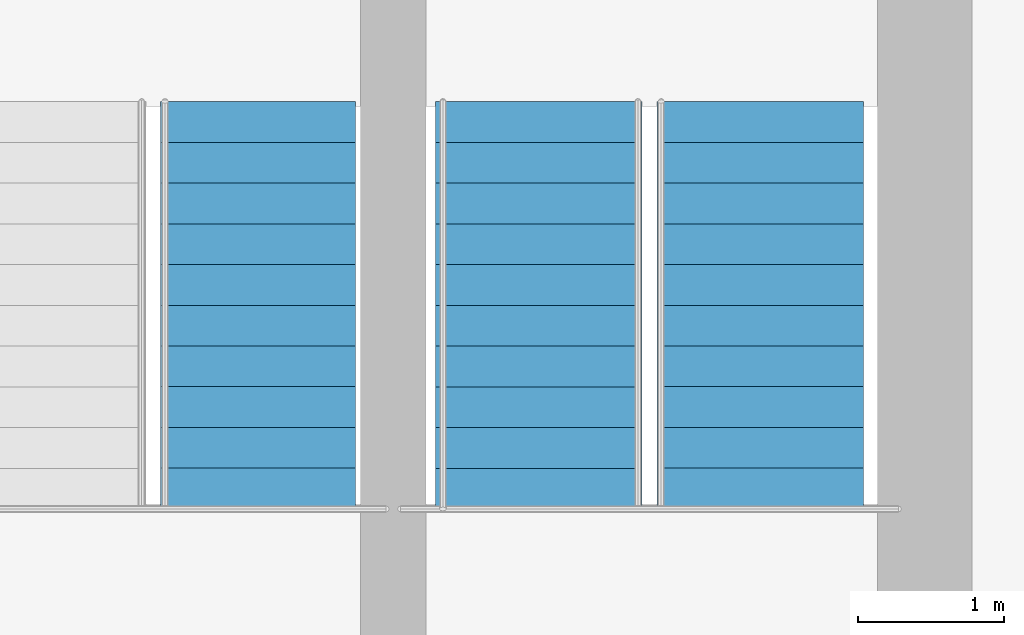
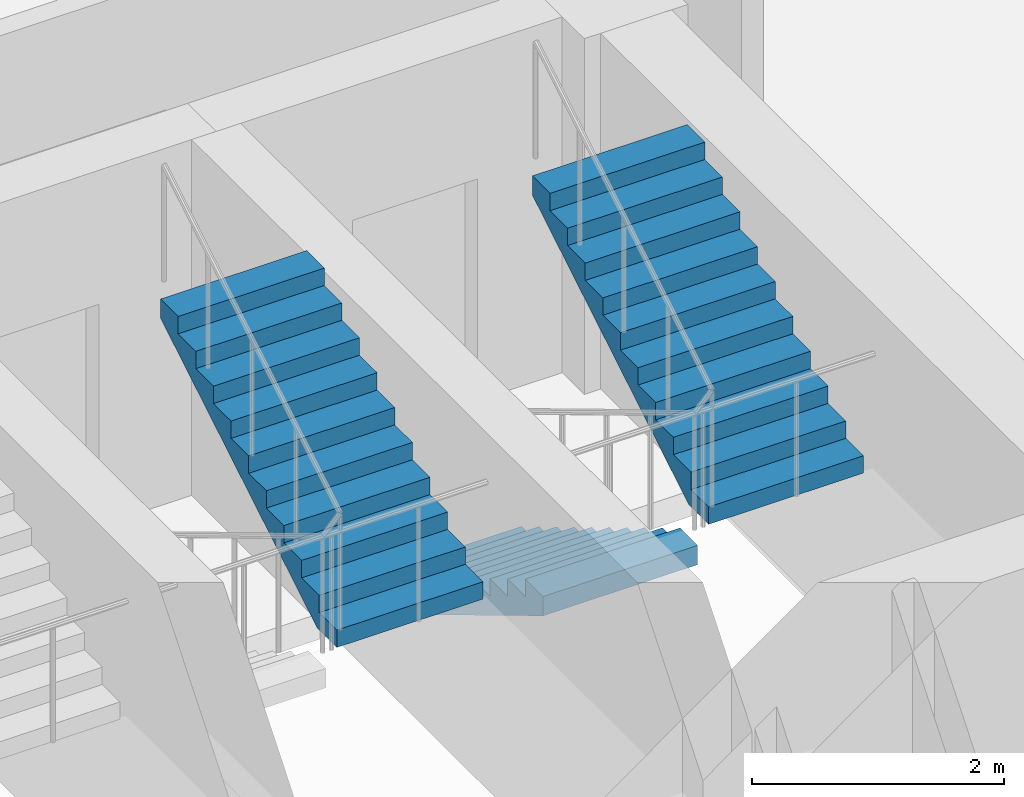
# One storey, part 25 of 26: 3 stair flights, 2 elements without a shape of their own.
"""IFC4 building model written with IfcOpenShell, lengths in metres."""

from ifc_helpers import new_model, si_unit, direction, frame, origin, place, context, subcontext, project, spatial, polyline, outline, extrude, material, type_object, element, aggregate, save


model = new_model("IFC4")

# Units and contexts
model_context = context("Model", 3, precision=1e-05, world=origin(), true_north=direction((0.0, 1.0)))
body_context = subcontext(model_context, "Body", "Model", "MODEL_VIEW")
ifc_project = project(units=[si_unit("LENGTHUNIT", "METRE"), si_unit("AREAUNIT", "SQUARE_METRE"), si_unit("VOLUMEUNIT", "CUBIC_METRE"), si_unit("PLANEANGLEUNIT", "RADIAN"), si_unit("MASSUNIT", "GRAM", prefix="KILO")], contexts=[model_context])

# Site, building, storey
site_placement = place(None, origin())
site = spatial("IfcSite", under=ifc_project, at=site_placement, CompositionType="ELEMENT")
building_placement = place(site_placement, origin())
building = spatial("IfcBuilding", under=site, at=building_placement, Name="Nuhasar Tower", CompositionType="ELEMENT")
storey_placement = place(building_placement, frame((0.0, 0.0, 173.75)))
storey = spatial("IfcBuildingStorey", under=building, at=storey_placement, Name="L42", CompositionType="ELEMENT", Elevation=173.75)

# Stair, stair flights
ifc_material = material(Name="Concrete C45/55", Category="concrete")
stair_type_1 = type_object("IfcStairType", Name="STR-ST-02-2F-22R-1682", PredefinedType="HALF_TURN_STAIR", material=ifc_material)
stair_1_placement = place(storey_placement, origin())
stair_1 = element("IfcStair", 1, at=stair_1_placement, inside=storey, type_object=stair_type_1, Name="L42 Exit Stair ST-02", PredefinedType="HALF_TURN_STAIR")
stair_flight_type_1 = type_object("IfcStairFlightType", Name="SFL-ST-02-11R-1682", PredefinedType="STRAIGHT", material=ifc_material)
stair_flight_1_placement = place(storey_placement, frame((41.64990234375, 35.284912109375, 0.0), z_axis=(0.0, 0.0, 1.0), x_axis=(0.0, -1.0, 0.0)))
stair_flight_1 = element("IfcStairFlight", 2, at=stair_flight_1_placement, type_object=stair_flight_type_1, Name="ST-02 flight 1", NumberOfRisers=11, NumberOfTreads=10, PredefinedType="STRAIGHT", RiserHeight=0.168182, TreadLength=0.28, context=body_context, shape_type="SweptSolid", body=[
    extrude(outline(polyline([(0.0, 0.0), (0.0, 0.168212890625), (0.280029296875, 0.168212890625), (0.280029296875, 0.33642578125), (0.56005859375, 0.33642578125), (0.56005859375, 0.504638671875), (0.840087890625, 0.504638671875), (0.840087890625, 0.672607421875), (1.1201171875, 0.672607421875), (1.1201171875, 0.8408203125), (1.39990234375, 0.8408203125), (1.39990234375, 1.009033203125), (1.679931640625, 1.009033203125), (1.679931640625, 1.17724609375), (1.9599609375, 1.17724609375), (1.9599609375, 1.345458984375), (2.239990234375, 1.345458984375), (2.239990234375, 1.513671875), (2.52001953125, 1.513671875), (2.52001953125, 1.681884765625), (2.800048828125, 1.681884765625), (2.800048828125, 1.85009765625), (2.800048828125, 1.495361328125), (0.310546875, 0.0), (0.0, 0.0)])), frame((0.0, 0.7099609375, 0.0), z_axis=(0.0, -1.0, 0.0), x_axis=(1.0, 0.0, 0.0)), (0.0, 0.0, 1.0), 1.419921875),
])
stair_flight_2_placement = place(storey_placement, frame((43.169921875, 32.485107421875, 1.85009765625), z_axis=(0.0, 0.0, 1.0), x_axis=(0.0, 1.0, 0.0)))
stair_flight_2 = element("IfcStairFlight", 3, at=stair_flight_2_placement, type_object=stair_flight_type_1, Name="ST-02 flight 2", NumberOfRisers=11, NumberOfTreads=10, PredefinedType="STRAIGHT", RiserHeight=0.168182, TreadLength=0.28, context=body_context, shape_type="SweptSolid", body=[
    extrude(outline(polyline([(0.0, 0.0), (0.0, 0.168212890625), (0.280029296875, 0.168212890625), (0.280029296875, 0.33642578125), (0.56005859375, 0.33642578125), (0.56005859375, 0.504638671875), (0.840087890625, 0.504638671875), (0.840087890625, 0.672607421875), (1.1201171875, 0.672607421875), (1.1201171875, 0.8408203125), (1.39990234375, 0.8408203125), (1.39990234375, 1.009033203125), (1.679931640625, 1.009033203125), (1.679931640625, 1.17724609375), (1.9599609375, 1.17724609375), (1.9599609375, 1.345458984375), (2.239990234375, 1.345458984375), (2.239990234375, 1.513671875), (2.52001953125, 1.513671875), (2.52001953125, 1.681884765625), (2.800048828125, 1.681884765625), (2.800048828125, 1.85009765625), (2.800048828125, 1.495361328125), (0.310546875, 0.0), (0.0, 0.0)])), frame((0.0, 0.7099609375, 0.0), z_axis=(0.0, -1.0, 0.0), x_axis=(1.0, 0.0, 0.0)), (0.0, 0.0, 1.0), 1.419921875),
])
aggregate(stair_1, [stair_flight_1, stair_flight_2])

# Stair, stair flight
stair_type_2 = type_object("IfcStairType", Name="STR-ST-03-2F-22R-1682", PredefinedType="HALF_TURN_STAIR", material=ifc_material)
stair_2_placement = place(storey_placement, origin())
stair_2 = element("IfcStair", 4, at=stair_2_placement, inside=storey, type_object=stair_type_2, Name="L42 Exit Stair ST-03", PredefinedType="HALF_TURN_STAIR")
stair_flight_type_2 = type_object("IfcStairFlightType", Name="SFL-ST-03-11R-1682", PredefinedType="STRAIGHT", material=ifc_material)
stair_flight_3_placement = place(storey_placement, frame((39.719970703125, 32.485107421875, 1.85009765625), z_axis=(0.0, 0.0, 1.0), x_axis=(0.0, 1.0, 0.0)))
stair_flight_3 = element("IfcStairFlight", 5, at=stair_flight_3_placement, type_object=stair_flight_type_2, Name="ST-03 flight 2", NumberOfRisers=11, NumberOfTreads=10, PredefinedType="STRAIGHT", RiserHeight=0.168182, TreadLength=0.28, context=body_context, shape_type="SweptSolid", body=[
    extrude(outline(polyline([(0.0, 0.0), (0.0, 0.168212890625), (0.280029296875, 0.168212890625), (0.280029296875, 0.33642578125), (0.56005859375, 0.33642578125), (0.56005859375, 0.504638671875), (0.840087890625, 0.504638671875), (0.840087890625, 0.672607421875), (1.1201171875, 0.672607421875), (1.1201171875, 0.8408203125), (1.39990234375, 0.8408203125), (1.39990234375, 1.009033203125), (1.679931640625, 1.009033203125), (1.679931640625, 1.17724609375), (1.9599609375, 1.17724609375), (1.9599609375, 1.345458984375), (2.239990234375, 1.345458984375), (2.239990234375, 1.513671875), (2.52001953125, 1.513671875), (2.52001953125, 1.681884765625), (2.800048828125, 1.681884765625), (2.800048828125, 1.85009765625), (2.800048828125, 1.495361328125), (0.310546875, 0.0), (0.0, 0.0)])), frame((0.0, 0.669921875, 0.0), z_axis=(0.0, -1.0, 0.0), x_axis=(1.0, 0.0, 0.0)), (0.0, 0.0, 1.0), 1.340087890625),
])
aggregate(stair_2, [stair_flight_3])

save(model, "model.ifc")
